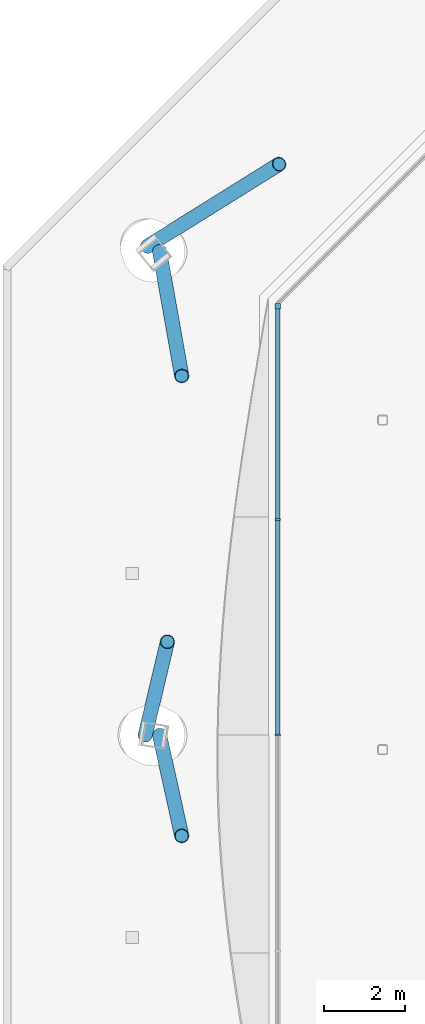
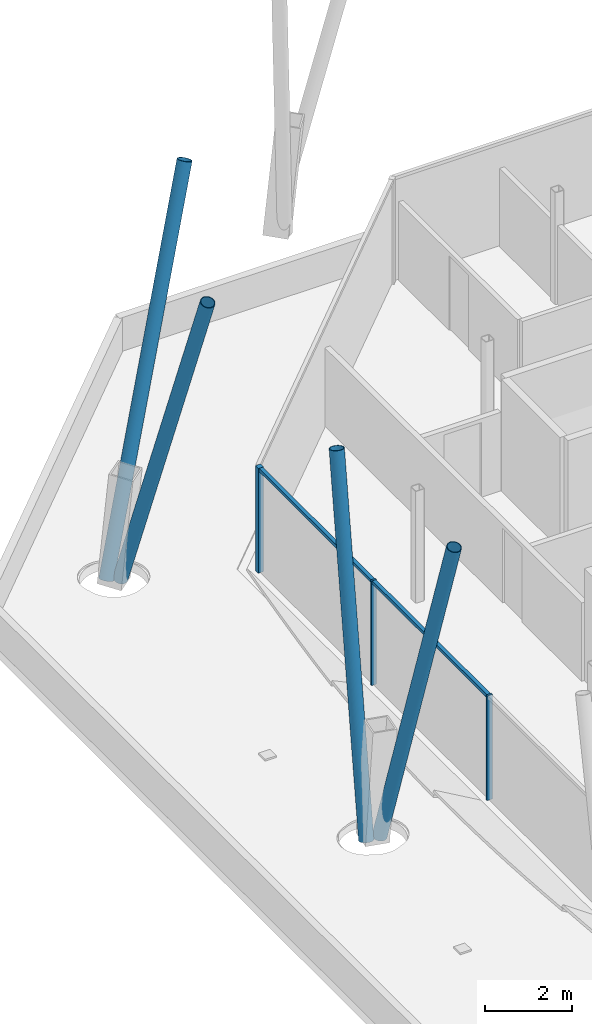
# One storey, part 5 of 17: 9 members, 1 element without a shape of its own.
"""IFC4 building model written with IfcOpenShell, lengths in metres."""

from ifc_helpers import new_model, si_unit, direction, frame, origin, origin_2d, place, context, subcontext, project, spatial, rectangle, hollow_circle, extrude, material, material_profile, profile_set, type_object, element, aggregate, save


model = new_model("IFC4")

# Units and contexts
model_context = context("Model", 3, precision=1e-05, world=origin(), true_north=direction((0.0, 1.0)))
body_context = subcontext(model_context, "Body", "Model", "MODEL_VIEW")
ifc_project = project(units=[si_unit("LENGTHUNIT", "METRE"), si_unit("AREAUNIT", "SQUARE_METRE"), si_unit("VOLUMEUNIT", "CUBIC_METRE"), si_unit("PLANEANGLEUNIT", "RADIAN"), si_unit("MASSUNIT", "GRAM", prefix="KILO")], contexts=[model_context])

# Site, building, storey
site_placement = place(None, origin())
site = spatial("IfcSite", under=ifc_project, at=site_placement, CompositionType="ELEMENT")
building_placement = place(site_placement, origin())
building = spatial("IfcBuilding", under=site, at=building_placement, Name="Tskaro Facet Tower", CompositionType="ELEMENT")
storey_placement = place(building_placement, frame((0.0, 0.0, 259.5)))
storey = spatial("IfcBuildingStorey", under=building, at=storey_placement, Name="L68", CompositionType="ELEMENT", Elevation=259.5)

# Members
ifc_material_1 = material(Name="Steel S355J2H", Category="steel")
ifc_material_profile_1 = material_profile(ifc_material_1, hollow_circle(Radius=0.177734375, WallThickness=0.01611328125, at=origin_2d()), Name="CHS 355.6x16")
ifc_profile_set_1 = profile_set([ifc_material_profile_1], Name="Steel S355J2H")
member_type_1 = type_object("IfcMemberType", Name="CHS 355.6x16 brace", PredefinedType="BRACE", material=ifc_profile_set_1)
member_1_placement = place(storey_placement, frame((-17.018798828125, 9.69775390625, 0.0), z_axis=(0.31955632288, 0.199244037446, 0.926383057946), x_axis=(-0.529084601301, 0.848569080669, 0.0)))
element("IfcMember", 1, at=member_1_placement, inside=storey, type_object=member_type_1, Name="CHS 355.6x16 XB09B/6", PredefinedType="BRACE", context=body_context, shape_type="SweptSolid", body=[
    extrude(hollow_circle(Radius=0.177734375, WallThickness=0.01611328125, at=origin_2d()), origin(), (0.0, 0.0, 1.0), 10.200927734375),
])
member_2_placement = place(storey_placement, frame((-16.715087890625, 9.572021484375, 0.0), z_axis=(0.055011245014, -0.309465844665, 0.949317994092), x_axis=(0.984565197024, 0.175018207079, 0.0)))
element("IfcMember", 2, at=member_2_placement, inside=storey, type_object=member_type_1, Name="CHS 355.6x16 XB10A/6", PredefinedType="BRACE", context=body_context, shape_type="SweptSolid", body=[
    extrude(hollow_circle(Radius=0.177734375, WallThickness=0.01611328125, at=origin_2d()), origin(), (0.0, 0.0, 1.0), 9.954345703125),
])
member_3_placement = place(storey_placement, frame((-17.07080078125, -2.39208984375, 0.0), z_axis=(0.056224703968, 0.237226157382, 0.969826032295), x_axis=(-0.973043884015, 0.230620033347, 0.0)))
element("IfcMember", 3, at=member_3_placement, inside=storey, type_object=member_type_1, Name="CHS 355.6x16 XB10B/6", PredefinedType="BRACE", context=body_context, shape_type="SweptSolid", body=[
    extrude(hollow_circle(Radius=0.177734375, WallThickness=0.01611328125, at=origin_2d()), origin(), (0.0, 0.0, 1.0), 9.743896484375),
])
member_4_placement = place(storey_placement, frame((-16.715087890625, -2.39208984375, 0.0), z_axis=(0.055947109483, -0.254443363278, 0.965468019058), x_axis=(0.9766689713, 0.214750367868, 0.0)))
element("IfcMember", 4, at=member_4_placement, inside=storey, type_object=member_type_1, Name="CHS 355.6x16 XB11A/6", PredefinedType="BRACE", context=body_context, shape_type="SweptSolid", body=[
    extrude(hollow_circle(Radius=0.177734375, WallThickness=0.01611328125, at=origin_2d()), origin(), (0.0, 0.0, 1.0), 9.787841796875),
])

# Curtain wall, members
ifc_material_2 = material(Name="Bronze anodised aluminium 6063-T6", Category="aluminium")
curtain_wall_type = type_object("IfcCurtainWallType", Name="Bronze residence curtain wall (FW3)", PredefinedType="NOTDEFINED", material=ifc_material_2)
curtain_wall_placement = place(storey_placement, origin())
curtain_wall = element("IfcCurtainWall", 5, at=curtain_wall_placement, inside=storey, type_object=curtain_wall_type, Name="FW3 west facet L68", PredefinedType="NOTDEFINED")
ifc_material_profile_2 = material_profile(ifc_material_2, rectangle(XDim=0.139892578125, YDim=0.139892578125, at=origin_2d()), Name="Corner post 140x140")
ifc_profile_set_2 = profile_set([ifc_material_profile_2], Name="Bronze anodised aluminium 6063-T6")
member_type_2 = type_object("IfcMemberType", Name="FW3 bronze corner post 140x140", PredefinedType="MULLION", material=ifc_profile_set_2)
member_5_placement = place(storey_placement, frame((-13.79296875, 8.217041015625, 0.0), z_axis=(0.0, 0.0, 1.0), x_axis=(0.0, -1.0, 0.0)))
member_5 = element("IfcMember", 6, at=member_5_placement, type_object=member_type_2, Name="FW3 west corner post", PredefinedType="MULLION", context=body_context, shape_type="SweptSolid", body=[
    extrude(rectangle(XDim=0.139892578125, YDim=0.139892578125, at=origin_2d()), origin(), (0.0, 0.0, 1.0), 2.949951171875),
])
ifc_material_profile_3 = material_profile(ifc_material_2, rectangle(XDim=0.050048828125, YDim=0.139892578125, at=origin_2d()), Name="Mullion 50x140")
ifc_profile_set_3 = profile_set([ifc_material_profile_3], Name="Bronze anodised aluminium 6063-T6")
member_type_3 = type_object("IfcMemberType", Name="FW3 bronze mullion 50x140", PredefinedType="MULLION", material=ifc_profile_set_3)
member_6_placement = place(storey_placement, frame((-13.79296875, 2.94775390625, 0.0), z_axis=(0.0, 0.0, 1.0), x_axis=(0.0, -1.0, 0.0)))
member_6 = element("IfcMember", 7, at=member_6_placement, type_object=member_type_3, Name="FW3 west mullion 1", PredefinedType="MULLION", context=body_context, shape_type="SweptSolid", body=[
    extrude(rectangle(XDim=0.050048828125, YDim=0.139892578125, at=origin_2d()), origin(), (0.0, 0.0, 1.0), 2.949951171875),
])
member_7_placement = place(storey_placement, frame((-13.79296875, -2.3916015625, 0.0), z_axis=(0.0, 0.0, 1.0), x_axis=(0.0, -1.0, 0.0)))
member_7 = element("IfcMember", 8, at=member_7_placement, type_object=member_type_3, Name="FW3 west mullion 2", PredefinedType="MULLION", context=body_context, shape_type="SweptSolid", body=[
    extrude(rectangle(XDim=0.050048828125, YDim=0.139892578125, at=origin_2d()), origin(), (0.0, 0.0, 1.0), 2.949951171875),
])
ifc_material_profile_4 = material_profile(ifc_material_2, rectangle(XDim=0.10009765625, YDim=0.090087890625, at=origin_2d()), Name="Transom 100x90")
ifc_profile_set_4 = profile_set([ifc_material_profile_4], Name="Bronze anodised aluminium 6063-T6")
member_type_4 = type_object("IfcMemberType", Name="FW3 bronze transom 100x90", PredefinedType="USERDEFINED", material=ifc_profile_set_4)
member_8_placement = place(storey_placement, frame((-13.79296875, 8.14697265625, 2.905029296875), z_axis=(0.0, -1.0, 0.0), x_axis=(1.0, 0.0, 0.0)))
member_8 = element("IfcMember", 9, at=member_8_placement, type_object=member_type_4, Name="FW3 west transom 1.1", ObjectType="TRANSOM", PredefinedType="USERDEFINED", context=body_context, shape_type="SweptSolid", body=[
    extrude(rectangle(XDim=0.10009765625, YDim=0.090087890625, at=origin_2d()), origin(), (0.0, 0.0, 1.0), 5.17431640625),
])
member_9_placement = place(storey_placement, frame((-13.79296875, 2.9228515625, 2.905029296875), z_axis=(0.0, -1.0, 0.0), x_axis=(1.0, 0.0, 0.0)))
member_9 = element("IfcMember", 10, at=member_9_placement, type_object=member_type_4, Name="FW3 west transom 2.1", ObjectType="TRANSOM", PredefinedType="USERDEFINED", context=body_context, shape_type="SweptSolid", body=[
    extrude(rectangle(XDim=0.10009765625, YDim=0.090087890625, at=origin_2d()), origin(), (0.0, 0.0, 1.0), 5.289306640625),
])
aggregate(curtain_wall, [member_5, member_6, member_7, member_8, member_9])

save(model, "model.ifc")
